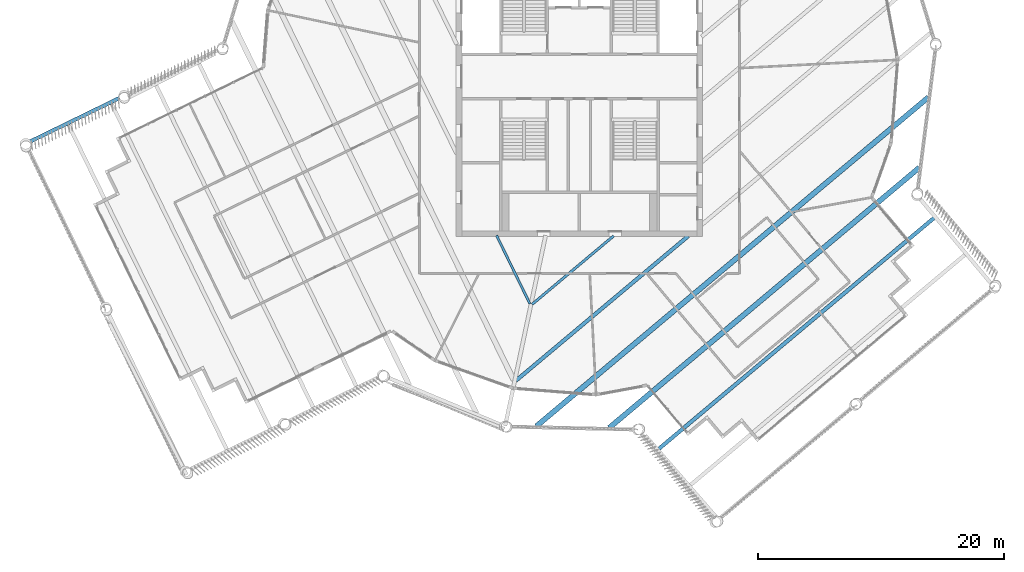
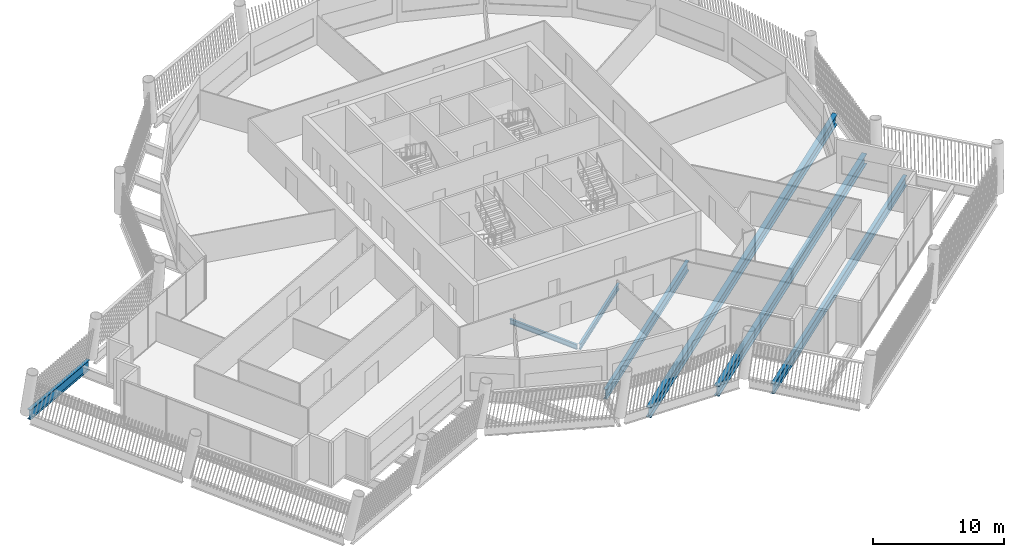
# One storey, part 13 of 31: 7 beams.
"""IFC4 building model written with IfcOpenShell, lengths in metres."""

from ifc_helpers import new_model, si_unit, direction, frame, origin, origin_2d, place, context, subcontext, project, spatial, i_section, extrude, material, material_profile, profile_set, type_object, element, save


model = new_model("IFC4")

# Units and contexts
model_context = context("Model", 3, precision=1e-05, world=origin(), true_north=direction((0.0, 1.0)))
body_context = subcontext(model_context, "Body", "Model", "MODEL_VIEW")
ifc_project = project(units=[si_unit("LENGTHUNIT", "METRE"), si_unit("AREAUNIT", "SQUARE_METRE"), si_unit("VOLUMEUNIT", "CUBIC_METRE"), si_unit("PLANEANGLEUNIT", "RADIAN"), si_unit("MASSUNIT", "GRAM", prefix="KILO")], contexts=[model_context])

# Site, building, storey
site_placement = place(None, origin())
site = spatial("IfcSite", under=ifc_project, at=site_placement, CompositionType="ELEMENT")
building_placement = place(site_placement, origin())
building = spatial("IfcBuilding", under=site, at=building_placement, Name="Tarsis Ring Headquarters", CompositionType="ELEMENT")
storey_placement = place(building_placement, frame((0.0, 0.0, 390.199951171875)))
storey = spatial("IfcBuildingStorey", under=building, at=storey_placement, Name="L92", CompositionType="ELEMENT", Elevation=390.199951171875)

# Beams
ifc_material = material(Name="Structural steel S355", Category="steel")
ifc_material_profile_1 = material_profile(ifc_material, i_section(OverallWidth=0.1904296875, OverallDepth=0.457275390625, WebThickness=0.009033203125, FlangeThickness=0.014404296875, at=origin_2d()), Name="W18x50")
ifc_profile_set_1 = profile_set([ifc_material_profile_1], Name="Structural steel S355")
beam_type_1 = type_object("IfcBeamType", Name="FB Floor beam W18x50", PredefinedType="JOIST", material=ifc_profile_set_1)
beam_1_placement = place(storey_placement, frame((-6.720703125, -12.91015625, -0.388671875), z_axis=(0.438370587288, -0.898794319186, 0.0), x_axis=(0.898794319186, 0.438370587288, 0.0)))
element("IfcBeam", 1, at=beam_1_placement, inside=storey, type_object=beam_type_1, Name="Floor beam FB2", PredefinedType="JOIST", context=body_context, shape_type="SweptSolid", body=[
    extrude(i_section(OverallWidth=0.1904296875, OverallDepth=0.457275390625, WebThickness=0.009033203125, FlangeThickness=0.014404296875, at=origin_2d()), origin(), (0.0, 0.0, 1.0), 6.166259765625),
])
ifc_material_profile_2 = material_profile(ifc_material, i_section(OverallWidth=0.209228515625, OverallDepth=0.533447265625, WebThickness=0.01025390625, FlangeThickness=0.015625, at=origin_2d()), Name="W21x62")
ifc_profile_set_2 = profile_set([ifc_material_profile_2], Name="Structural steel S355")
beam_type_2 = type_object("IfcBeamType", Name="FB Floor beam W21x62", PredefinedType="JOIST", material=ifc_profile_set_2)
beam_2_placement = place(storey_placement, frame((-3.8349609375, -18.4912109375, -0.4267578125), z_axis=(0.766051994409, 0.642778610302, 0.0), x_axis=(-0.642778610302, 0.766051994409, 0.0)))
element("IfcBeam", 2, at=beam_2_placement, inside=storey, type_object=beam_type_2, Name="Floor beam FB3", PredefinedType="JOIST", context=body_context, shape_type="SweptSolid", body=[
    extrude(i_section(OverallWidth=0.209228515625, OverallDepth=0.533447265625, WebThickness=0.01025390625, FlangeThickness=0.015625, at=origin_2d()), origin(), (0.0, 0.0, 1.0), 8.642822265625),
])
ifc_material_profile_3 = material_profile(ifc_material, i_section(OverallWidth=0.3046875, OverallDepth=0.904296875, WebThickness=0.01513671875, FlangeThickness=0.02001953125, at=origin_2d()), Name="W36x135")
ifc_profile_set_3 = profile_set([ifc_material_profile_3], Name="Structural steel S355")
beam_type_3 = type_object("IfcBeamType", Name="FB Floor beam W36x135", PredefinedType="JOIST", material=ifc_profile_set_3)
beam_3_placement = place(storey_placement, frame((-5.152099609375, -24.6875, -0.612060546875), z_axis=(0.766044116596, 0.642787998821, 0.0), x_axis=(-0.642787998821, 0.766044116596, 0.0)))
element("IfcBeam", 3, at=beam_3_placement, inside=storey, type_object=beam_type_3, Name="Floor beam FB8", PredefinedType="JOIST", context=body_context, shape_type="SweptSolid", body=[
    extrude(i_section(OverallWidth=0.3046875, OverallDepth=0.904296875, WebThickness=0.01513671875, FlangeThickness=0.02001953125, at=origin_2d()), origin(), (0.0, 0.0, 1.0), 18.282470703125),
])
ifc_material_profile_4 = material_profile(ifc_material, i_section(OverallWidth=0.309814453125, OverallDepth=0.949951171875, WebThickness=0.0244140625, FlangeThickness=0.0439453125, at=origin_2d()), Name="W36x256")
ifc_profile_set_4 = profile_set([ifc_material_profile_4], Name="Structural steel S355")
beam_type_4 = type_object("IfcBeamType", Name="FB Floor beam W36x256", PredefinedType="JOIST", material=ifc_profile_set_4)
beam_4_placement = place(storey_placement, frame((6.250732421875, -30.392578125, -0.635009765625), z_axis=(0.766044413228, 0.642787645309, 0.0), x_axis=(-0.642787645309, 0.766044413228, 0.0)))
element("IfcBeam", 4, at=beam_4_placement, inside=storey, type_object=beam_type_4, Name="Floor beam FB11", PredefinedType="JOIST", context=body_context, shape_type="SweptSolid", body=[
    extrude(i_section(OverallWidth=0.309814453125, OverallDepth=0.949951171875, WebThickness=0.0244140625, FlangeThickness=0.0439453125, at=origin_2d()), origin(), (0.0, 0.0, 1.0), 29.495361328125),
])
ifc_material_profile_5 = material_profile(ifc_material, i_section(OverallWidth=0.42431640625, OverallDepth=0.947509765625, WebThickness=0.02392578125, FlangeThickness=0.042724609375, at=origin_2d()), Name="W36x302")
ifc_profile_set_5 = profile_set([ifc_material_profile_5], Name="Structural steel S355")
beam_type_5 = type_object("IfcBeamType", Name="FB Floor beam W36x302", PredefinedType="JOIST", material=ifc_profile_set_5)
beam_5_placement = place(storey_placement, frame((-3.4921875, -28.3857421875, -0.633544921875), z_axis=(0.766043257024, 0.642789023217, 0.0), x_axis=(-0.642789023217, 0.766043257024, 0.0)))
element("IfcBeam", 5, at=beam_5_placement, inside=storey, type_object=beam_type_5, Name="Floor beam FB12", PredefinedType="JOIST", context=body_context, shape_type="SweptSolid", body=[
    extrude(i_section(OverallWidth=0.42431640625, OverallDepth=0.947509765625, WebThickness=0.02392578125, FlangeThickness=0.042724609375, at=origin_2d()), origin(), (0.0, 0.0, 1.0), 41.53125),
])
beam_6_placement = place(storey_placement, frame((2.41357421875, -28.521484375, -0.633544921875), z_axis=(0.76603999262, 0.642792913547, 0.0), x_axis=(-0.642792913547, 0.76603999262, 0.0)))
element("IfcBeam", 6, at=beam_6_placement, inside=storey, type_object=beam_type_5, Name="Floor beam FB12", PredefinedType="JOIST", context=body_context, shape_type="SweptSolid", body=[
    extrude(i_section(OverallWidth=0.42431640625, OverallDepth=0.947509765625, WebThickness=0.02392578125, FlangeThickness=0.042724609375, at=origin_2d()), origin(), (0.0, 0.0, 1.0), 32.883056640625),
])
ifc_material_profile_6 = material_profile(ifc_material, i_section(OverallWidth=0.3046875, OverallDepth=0.91943359375, WebThickness=0.017333984375, FlangeThickness=0.02783203125, at=origin_2d()), Name="W36x170")
ifc_profile_set_6 = profile_set([ifc_material_profile_6], Name="Structural steel S355")
beam_type_6 = type_object("IfcBeamType", Name="XG Ring girder W36x170", PredefinedType="BEAM", material=ifc_profile_set_6)
beam_7_placement = place(storey_placement, frame((-37.324951171875, -1.738037109375, -0.459716796875), z_axis=(-0.898789645482, -0.438380169687, 0.0), x_axis=(0.438380169687, -0.898789645482, 0.0)))
element("IfcBeam", 7, at=beam_7_placement, inside=storey, type_object=beam_type_6, Name="Ring girder XG4", PredefinedType="BEAM", context=body_context, shape_type="SweptSolid", body=[
    extrude(i_section(OverallWidth=0.3046875, OverallDepth=0.91943359375, WebThickness=0.017333984375, FlangeThickness=0.02783203125, at=origin_2d()), origin(), (0.0, 0.0, 1.0), 8.0791015625),
])

save(model, "model.ifc")
